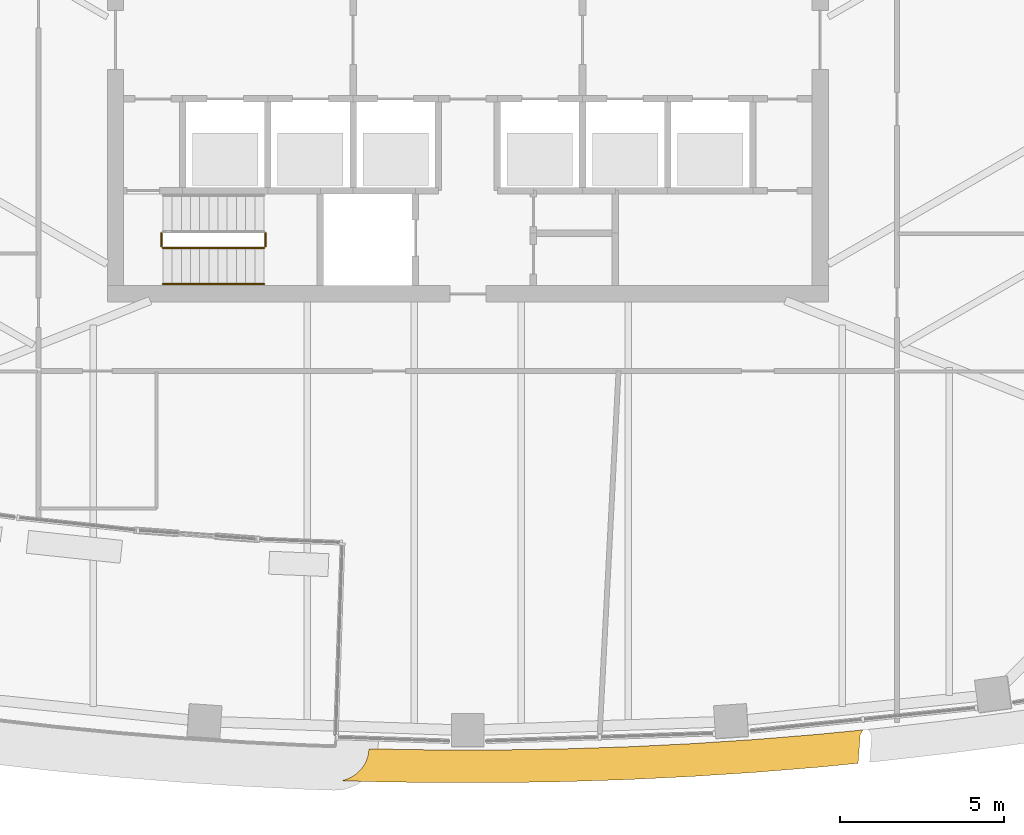
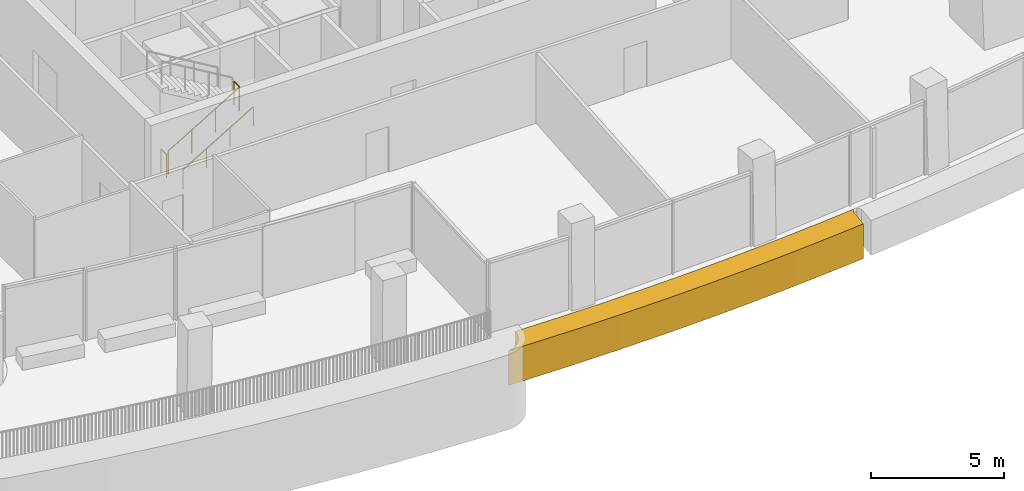
# One storey, part 13 of 18: 4 railings, 1 covering.
"""IFC4 building model written with IfcOpenShell, lengths in metres."""

from ifc_helpers import new_model, si_unit, direction, frame, origin, origin_2d, place, context, subcontext, project, spatial, polyline, circle, outline, extrude, material, layer, layer_set, type_object, element, save


model = new_model("IFC4")

# Units and contexts
model_context = context("Model", 3, precision=1e-05, world=origin(), true_north=direction((0.0, 1.0)))
body_context = subcontext(model_context, "Body", "Model", "MODEL_VIEW")
ifc_project = project(units=[si_unit("LENGTHUNIT", "METRE"), si_unit("AREAUNIT", "SQUARE_METRE"), si_unit("VOLUMEUNIT", "CUBIC_METRE"), si_unit("PLANEANGLEUNIT", "RADIAN"), si_unit("MASSUNIT", "GRAM", prefix="KILO")], contexts=[model_context])

# Site, building, storey
site_placement = place(None, origin())
site = spatial("IfcSite", under=ifc_project, at=site_placement, CompositionType="ELEMENT")
building_placement = place(site_placement, origin())
building = spatial("IfcBuilding", under=site, at=building_placement, Name="Sierra Prisma Convention Tower", CompositionType="ELEMENT")
storey_placement = place(building_placement, frame((0.0, 0.0, 205.800048828125)))
storey = spatial("IfcBuildingStorey", under=building, at=storey_placement, Name="L46", CompositionType="ELEMENT", Elevation=205.800048828125)

# Covering
ifc_material_1 = material(Name="Aluminium composite bronze anodised", Category="aluminium")
ifc_layer = layer(ifc_material_1, 1.0)
ifc_layer_set = layer_set([ifc_layer], Name="Bronze spandrel band")
covering_type = type_object("IfcCoveringType", Name="Bronze spandrel band", PredefinedType="CLADDING", material=ifc_layer_set)
covering_placement = place(storey_placement, frame((0.0, 0.0, -1.60009765625)))
element("IfcCovering", 1, at=covering_placement, inside=storey, type_object=covering_type, Name="Spandrel band L46.2", PredefinedType="CLADDING", context=body_context, shape_type="SweptSolid", body=[
    extrude(outline(polyline([(-2.9111328125, -21.6357421875), (-0.970458984375, -21.66748046875), (0.970458984375, -21.66748046875), (2.9111328125, -21.6357421875), (4.850830078125, -21.572509765625), (6.78955078125, -21.477783203125), (8.726318359375, -21.351318359375), (10.66064453125, -21.193359375), (12.072021484375, -21.054931640625), (12.069091796875, -21.055908203125), (12.064453125, -21.058349609375), (12.060302734375, -21.06103515625), (12.05615234375, -21.064208984375), (12.052490234375, -21.06787109375), (12.049072265625, -21.07177734375), (12.046142578125, -21.076171875), (11.98291015625, -21.18115234375), (11.980712890625, -21.185302734375), (11.97900390625, -21.189453125), (11.9775390625, -21.19384765625), (11.9765625, -21.198486328125), (11.97607421875, -21.202880859375), (11.90869140625, -22.07568359375), (10.75830078125, -22.188720703125), (10.7421875, -22.190185546875), (8.8076171875, -22.347900390625), (8.79150390625, -22.34912109375), (6.8544921875, -22.4755859375), (6.83837890625, -22.4765625), (4.89990234375, -22.5712890625), (4.883544921875, -22.572021484375), (2.943603515625, -22.63525390625), (2.927490234375, -22.6357421875), (0.98681640625, -22.667236328125), (0.970458984375, -22.66748046875), (-0.970458984375, -22.66748046875), (-0.98681640625, -22.667236328125), (-2.927490234375, -22.6357421875), (-2.943603515625, -22.63525390625), (-3.8681640625, -22.605224609375), (-3.772216796875, -22.58447265625), (-3.677001953125, -22.553955078125), (-3.585205078125, -22.51416015625), (-3.497802734375, -22.465576171875), (-3.415283203125, -22.40869140625), (-3.339111328125, -22.343994140625), (-3.26953125, -22.272216796875), (-3.207275390625, -22.19384765625), (-3.153076171875, -22.10986328125), (-3.107421875, -22.02099609375), (-3.0703125, -21.927978515625), (-3.04296875, -21.831787109375), (-3.02490234375, -21.7333984375), (-3.0166015625, -21.6337890625), (-3.0166015625, -21.63232421875), (-2.9111328125, -21.6357421875)])), origin(), (0.0, 0.0, 1.0), 1.60009765625),
])

# Railings
ifc_material_2 = material(Name="Stainless steel", Category="steel")
railing_type_1 = type_object("IfcRailingType", Name="Exit stair handrail", PredefinedType="HANDRAIL", material=ifc_material_2)
railing_1_placement = place(storey_placement, frame((-9.300048828125, -7.449951171875, 0.16650390625)))
element("IfcRailing", 2, at=railing_1_placement, inside=storey, type_object=railing_type_1, Name="L46 S1 stair handrail 1", PredefinedType="HANDRAIL", context=body_context, shape_type="SweptSolid", body=[
    extrude(circle(Radius=0.02392578125, at=origin_2d()), frame((0.0, 0.0, 0.8759765625), z_axis=(0.85927862911, 0.0, 0.511507807912), x_axis=(0.0, 1.0, 0.0)), (0.0, 0.0, 1.0), 3.58447265625),
    extrude(circle(Radius=0.02099609375, at=origin_2d()), origin(), (0.0, 0.0, 1.0), 0.851806640625),
    extrude(circle(Radius=0.02099609375, at=origin_2d()), frame((1.026611328125, 0.0, 0.611083984375)), (0.0, 0.0, 1.0), 0.851806640625),
    extrude(circle(Radius=0.02099609375, at=origin_2d()), frame((2.053466796875, 0.0, 1.222412109375)), (0.0, 0.0, 1.0), 0.851806640625),
    extrude(circle(Radius=0.02099609375, at=origin_2d()), frame((3.080078125, 0.0, 1.83349609375)), (0.0, 0.0, 1.0), 0.851806640625),
])
ifc_material_3 = material(Name="Stainless steel", Category="steel")
railing_type_2 = type_object("IfcRailingType", Name="Stair guard 1100", PredefinedType="GUARDRAIL", material=ifc_material_3)
railing_2_placement = place(storey_placement, frame((-9.300048828125, -6.35009765625, 0.16650390625)))
element("IfcRailing", 3, at=railing_2_placement, inside=storey, type_object=railing_type_2, Name="L46 S1 stair guard 1", PredefinedType="GUARDRAIL", context=body_context, shape_type="SweptSolid", body=[
    extrude(circle(Radius=0.02392578125, at=origin_2d()), frame((0.0, 0.0, 1.076171875), z_axis=(0.85927862911, 0.0, 0.511507807912), x_axis=(0.0, 1.0, 0.0)), (0.0, 0.0, 1.0), 3.58447265625),
    extrude(circle(Radius=0.02099609375, at=origin_2d()), origin(), (0.0, 0.0, 1.0), 1.052001953125),
    extrude(circle(Radius=0.02099609375, at=origin_2d()), frame((1.026611328125, 0.0, 0.611083984375)), (0.0, 0.0, 1.0), 1.052001953125),
    extrude(circle(Radius=0.02099609375, at=origin_2d()), frame((2.053466796875, 0.0, 1.222412109375)), (0.0, 0.0, 1.0), 1.052001953125),
    extrude(circle(Radius=0.02099609375, at=origin_2d()), frame((3.080078125, 0.0, 1.83349609375)), (0.0, 0.0, 1.0), 1.052001953125),
])
for number, where, name in (
    (4, (-6.169921875, -6.300048828125, 2.0), "L46 S1 stair guard 2"),
    (5, (-9.35009765625, -6.300048828125, 0.0), "L46 S1 stair guard 4"),
):
    element("IfcRailing", number, at=place(storey_placement, frame(where)), inside=storey, type_object=railing_type_2, Name=name, PredefinedType="GUARDRAIL", context=body_context, shape_type="SweptSolid", body=[
        extrude(circle(Radius=0.02392578125, at=origin_2d()), frame((0.0, 0.0, 1.076171875), z_axis=(0.0, 1.0, 0.0), x_axis=(-1.0, 0.0, 0.0)), (0.0, 0.0, 1.0), 0.400146484375),
        extrude(circle(Radius=0.02099609375, at=origin_2d()), origin(), (0.0, 0.0, 1.0), 1.052001953125),
        extrude(circle(Radius=0.02099609375, at=origin_2d()), frame((0.0, 0.400146484375, 0.0)), (0.0, 0.0, 1.0), 1.052001953125),
    ])

save(model, "model.ifc")
